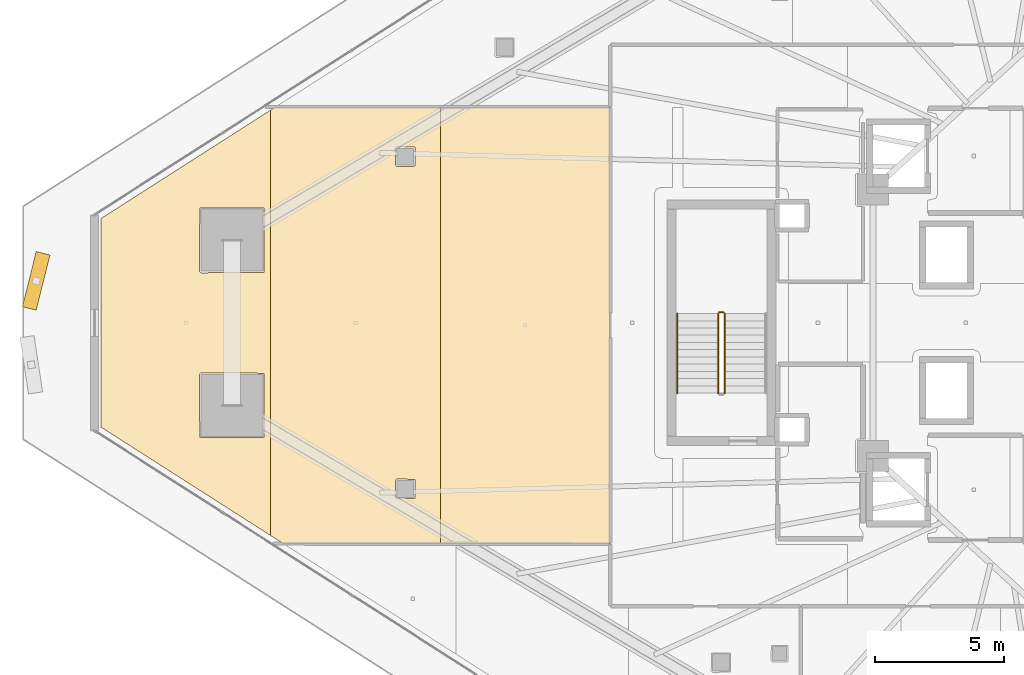
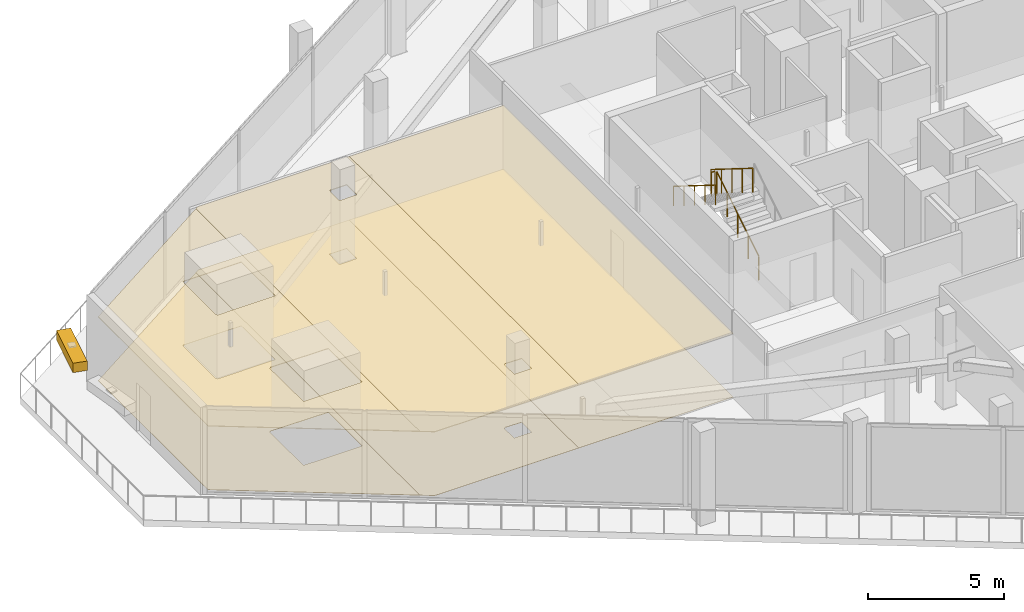
# One storey, part 41 of 45: 6 coverings, 4 railings, 1 shading device.
"""IFC4 building model written with IfcOpenShell, lengths in metres."""

from ifc_helpers import new_model, si_unit, direction, frame, origin, origin_2d, place, context, subcontext, project, spatial, polyline, rectangle, circle, outline, extrude, material, layer, layer_set, type_object, element, save


model = new_model("IFC4")

# Units and contexts
model_context = context("Model", 3, precision=1e-05, world=origin(), true_north=direction((0.0, 1.0)))
body_context = subcontext(model_context, "Body", "Model", "MODEL_VIEW")
ifc_project = project(units=[si_unit("LENGTHUNIT", "METRE"), si_unit("AREAUNIT", "SQUARE_METRE"), si_unit("VOLUMEUNIT", "CUBIC_METRE"), si_unit("PLANEANGLEUNIT", "RADIAN"), si_unit("MASSUNIT", "GRAM", prefix="KILO")], contexts=[model_context])

# Site, building, storey
site_placement = place(None, origin())
site = spatial("IfcSite", under=ifc_project, at=site_placement, CompositionType="ELEMENT")
building_placement = place(site_placement, origin())
building = spatial("IfcBuilding", under=site, at=building_placement, Name="Qorvath Tower", CompositionType="ELEMENT")
storey_placement = place(building_placement, frame((0.0, 0.0, 49.199951171875)))
storey = spatial("IfcBuildingStorey", under=building, at=storey_placement, Name="L10", CompositionType="ELEMENT", Elevation=49.199951171875)

# Coverings
ifc_material_1 = material(Name="Acoustic mineral fibre ceiling tile", Category="gypsum")
ifc_layer_1 = layer(ifc_material_1, 0.030029296875)
ifc_layer_set_1 = layer_set([ifc_layer_1], Name="COV-CEIL")
covering_type_1 = type_object("IfcCoveringType", Name="COV-CEIL", PredefinedType="CEILING", material=ifc_layer_set_1)
covering_1_placement = place(storey_placement, frame((0.0, 0.0, 2.85009765625)))
element("IfcCovering", 1, at=covering_1_placement, inside=storey, type_object=covering_type_1, Name="L10 Suspended Acoustic Ceiling 026", PredefinedType="CEILING", context=body_context, shape_type="SweptSolid", body=[
    extrude(outline(polyline([(-53.784912109375, -8.229736328125), (-53.784912109375, 8.229736328125), (-60.345947265625, 4.036376953125), (-60.345947265625, -4.036376953125), (-53.784912109375, -8.229736328125)]), holes=[polyline([(-56.54296875, -1.994384765625), (-56.48291015625, -1.9345703125), (-54.04052734375, -1.9521484375), (-54.04052734375, -4.43701171875), (-56.525390625, -4.43701171875), (-56.54296875, -1.994384765625)]), polyline([(-56.54296875, 1.994384765625), (-56.525390625, 4.43701171875), (-54.04052734375, 4.43701171875), (-54.04052734375, 1.9521484375), (-56.48291015625, 1.9345703125), (-56.54296875, 1.994384765625)])]), origin(), (0.0, 0.0, 1.0), 0.030029296875),
])
covering_2_placement = place(storey_placement, frame((0.0, 0.0, 2.85009765625)))
element("IfcCovering", 2, at=covering_2_placement, inside=storey, type_object=covering_type_1, Name="L10 Suspended Acoustic Ceiling 027", PredefinedType="CEILING", context=body_context, shape_type="SweptSolid", body=[
    extrude(outline(polyline([(-47.22412109375, -8.53125), (-47.22412109375, 8.3369140625), (-53.6171875, 8.3369140625), (-53.784912109375, 8.229736328125), (-53.784912109375, -8.229736328125), (-53.3212890625, -8.526123046875), (-47.22412109375, -8.53125)]), holes=[polyline([(-48.96337890625, -6.099609375), (-48.9033203125, -6.03955078125), (-48.2109375, -6.05712890625), (-48.2109375, -6.7919921875), (-48.94580078125, -6.7919921875), (-48.96337890625, -6.099609375)]), polyline([(-48.96337890625, 6.099609375), (-48.94580078125, 6.7919921875), (-48.2109375, 6.7919921875), (-48.2109375, 6.05712890625), (-48.9033203125, 6.03955078125), (-48.96337890625, 6.099609375)])]), origin(), (0.0, 0.0, 1.0), 0.030029296875),
])
covering_3_placement = place(storey_placement, frame((0.0, 0.0, 2.85009765625)))
element("IfcCovering", 3, at=covering_3_placement, inside=storey, type_object=covering_type_1, Name="L10 Suspended Acoustic Ceiling 028", PredefinedType="CEILING", context=body_context, shape_type="SweptSolid", body=[
    extrude(outline(polyline([(-40.6630859375, 8.3369140625), (-47.22412109375, 8.3369140625), (-47.22412109375, -8.53125), (-40.6630859375, -8.537109375), (-40.6630859375, 8.3369140625)])), origin(), (0.0, 0.0, 1.0), 0.030029296875),
])
ifc_material_2 = material(Name="Low-VOC modular carpet tile", Category="textile")
ifc_layer_2 = layer(ifc_material_2, 0.014892578125)
ifc_layer_set_2 = layer_set([ifc_layer_2], Name="COV-FLOOR-CPT")
covering_type_2 = type_object("IfcCoveringType", Name="COV-FLOOR-CPT", PredefinedType="FLOORING", material=ifc_layer_set_2)
covering_4_placement = place(storey_placement, origin())
element("IfcCovering", 4, at=covering_4_placement, inside=storey, type_object=covering_type_2, Name="L10 Floor Finish 026", PredefinedType="FLOORING", context=body_context, shape_type="SweptSolid", body=[
    extrude(outline(polyline([(-53.784912109375, -8.229736328125), (-53.784912109375, 8.229736328125), (-60.345947265625, 4.036376953125), (-60.345947265625, -4.036376953125), (-53.784912109375, -8.229736328125)]), holes=[polyline([(-56.54296875, -1.994384765625), (-56.48291015625, -1.9345703125), (-54.04052734375, -1.9521484375), (-54.04052734375, -4.43701171875), (-56.525390625, -4.43701171875), (-56.54296875, -1.994384765625)]), polyline([(-56.54296875, 1.994384765625), (-56.525390625, 4.43701171875), (-54.04052734375, 4.43701171875), (-54.04052734375, 1.9521484375), (-56.48291015625, 1.9345703125), (-56.54296875, 1.994384765625)])]), origin(), (0.0, 0.0, 1.0), 0.01513671875),
])
covering_5_placement = place(storey_placement, origin())
element("IfcCovering", 5, at=covering_5_placement, inside=storey, type_object=covering_type_2, Name="L10 Floor Finish 027", PredefinedType="FLOORING", context=body_context, shape_type="SweptSolid", body=[
    extrude(outline(polyline([(-47.22412109375, -8.53125), (-47.22412109375, 8.3369140625), (-53.6171875, 8.3369140625), (-53.784912109375, 8.229736328125), (-53.784912109375, -8.229736328125), (-53.3212890625, -8.526123046875), (-47.22412109375, -8.53125)]), holes=[polyline([(-48.96337890625, -6.099609375), (-48.9033203125, -6.03955078125), (-48.2109375, -6.05712890625), (-48.2109375, -6.7919921875), (-48.94580078125, -6.7919921875), (-48.96337890625, -6.099609375)]), polyline([(-48.96337890625, 6.099609375), (-48.94580078125, 6.7919921875), (-48.2109375, 6.7919921875), (-48.2109375, 6.05712890625), (-48.9033203125, 6.03955078125), (-48.96337890625, 6.099609375)])]), origin(), (0.0, 0.0, 1.0), 0.01513671875),
])
covering_6_placement = place(storey_placement, origin())
element("IfcCovering", 6, at=covering_6_placement, inside=storey, type_object=covering_type_2, Name="L10 Floor Finish 028", PredefinedType="FLOORING", context=body_context, shape_type="SweptSolid", body=[
    extrude(outline(polyline([(-40.6630859375, 8.3369140625), (-47.22412109375, 8.3369140625), (-47.22412109375, -8.53125), (-40.6630859375, -8.537109375), (-40.6630859375, 8.3369140625)])), origin(), (0.0, 0.0, 1.0), 0.01513671875),
])

# Railings
ifc_material_3 = material(Name="Painted galvanised steel", Category="steel")
railing_type_1 = type_object("IfcRailingType", Name="RL-STR-GRD", PredefinedType="GUARDRAIL", material=ifc_material_3)
railing_1_placement = place(storey_placement, frame((-36.22998046875, -2.719970703125, 0.175048828125)))
element("IfcRailing", 7, at=railing_1_placement, inside=storey, type_object=railing_type_1, Name="L10 TS3 stair guard 1", PredefinedType="GUARDRAIL", context=body_context, shape_type="SweptSolid", body=[
    extrude(circle(Radius=0.02392578125, at=origin_2d()), frame((0.0, 0.0, 1.076171875), z_axis=(0.0, 0.847998304005, 0.529998940003), x_axis=(-1.0, 0.0, 0.0)), (0.0, 0.0, 1.0), 3.632080078125),
    extrude(circle(Radius=0.02099609375, at=origin_2d()), origin(), (0.0, 0.0, 1.0), 1.052001953125),
    extrude(circle(Radius=0.02099609375, at=origin_2d()), frame((0.0, 0.77001953125, 0.481201171875)), (0.0, 0.0, 1.0), 1.052001953125),
    extrude(circle(Radius=0.02099609375, at=origin_2d()), frame((0.0, 1.5400390625, 0.96240234375)), (0.0, 0.0, 1.0), 1.052001953125),
    extrude(circle(Radius=0.02099609375, at=origin_2d()), frame((0.0, 2.31005859375, 1.44384765625)), (0.0, 0.0, 1.0), 1.052001953125),
    extrude(circle(Radius=0.02099609375, at=origin_2d()), frame((0.0, 3.080078125, 1.925048828125)), (0.0, 0.0, 1.0), 1.052001953125),
])
railing_2_placement = place(storey_placement, frame((-36.280029296875, 0.409912109375, 2.10009765625)))
element("IfcRailing", 8, at=railing_2_placement, inside=storey, type_object=railing_type_1, Name="L10 TS3 stair guard 2", PredefinedType="GUARDRAIL", context=body_context, shape_type="SweptSolid", body=[
    extrude(circle(Radius=0.02392578125, at=origin_2d()), frame((0.0, 0.0, 1.076171875), z_axis=(-1.0, 0.0, 0.0), x_axis=(0.0, -1.0, 0.0)), (0.0, 0.0, 1.0), 0.14990234375),
    extrude(circle(Radius=0.02099609375, at=origin_2d()), origin(), (0.0, 0.0, 1.0), 1.052001953125),
    extrude(circle(Radius=0.02099609375, at=origin_2d()), frame((-0.14990234375, 0.0, 0.0)), (0.0, 0.0, 1.0), 1.052001953125),
])
railing_3_placement = place(storey_placement, frame((-36.47998046875, 0.360107421875, 2.275146484375)))
element("IfcRailing", 9, at=railing_3_placement, inside=storey, type_object=railing_type_1, Name="L10 TS3 stair guard 3", PredefinedType="GUARDRAIL", context=body_context, shape_type="SweptSolid", body=[
    extrude(circle(Radius=0.02392578125, at=origin_2d()), frame((0.0, 0.0, 1.076171875), z_axis=(0.0, -0.848028513186, 0.529950602248), x_axis=(1.0, 0.0, 0.0)), (0.0, 0.0, 1.0), 3.632080078125),
    extrude(circle(Radius=0.02099609375, at=origin_2d()), origin(), (0.0, 0.0, 1.0), 1.052001953125),
    extrude(circle(Radius=0.02099609375, at=origin_2d()), frame((0.0, -0.77001953125, 0.481201171875)), (0.0, 0.0, 1.0), 1.052001953125),
    extrude(circle(Radius=0.02099609375, at=origin_2d()), frame((0.0, -1.5400390625, 0.96240234375)), (0.0, 0.0, 1.0), 1.052001953125),
    extrude(circle(Radius=0.02099609375, at=origin_2d()), frame((0.0, -2.31005859375, 1.443603515625)), (0.0, 0.0, 1.0), 1.052001953125),
    extrude(circle(Radius=0.02099609375, at=origin_2d()), frame((0.0, -3.080078125, 1.9248046875)), (0.0, 0.0, 1.0), 1.052001953125),
])
ifc_material_4 = material(Name="Brushed stainless steel AISI 304", Category="steel")
railing_type_2 = type_object("IfcRailingType", Name="RL-STR-HND", PredefinedType="HANDRAIL", material=ifc_material_4)
railing_4_placement = place(storey_placement, frame((-38.06005859375, 0.360107421875, 2.275146484375)))
element("IfcRailing", 10, at=railing_4_placement, inside=storey, type_object=railing_type_2, Name="L10 TS3 stair handrail 2", PredefinedType="HANDRAIL", context=body_context, shape_type="SweptSolid", body=[
    extrude(circle(Radius=0.02392578125, at=origin_2d()), frame((0.0, 0.0, 0.8759765625), z_axis=(0.0, -0.848028513186, 0.529950602248), x_axis=(1.0, 0.0, 0.0)), (0.0, 0.0, 1.0), 3.632080078125),
    extrude(circle(Radius=0.02099609375, at=origin_2d()), origin(), (0.0, 0.0, 1.0), 0.851806640625),
    extrude(circle(Radius=0.02099609375, at=origin_2d()), frame((0.0, -0.77001953125, 0.481201171875)), (0.0, 0.0, 1.0), 0.851806640625),
    extrude(circle(Radius=0.02099609375, at=origin_2d()), frame((0.0, -1.5400390625, 0.96240234375)), (0.0, 0.0, 1.0), 0.851806640625),
    extrude(circle(Radius=0.02099609375, at=origin_2d()), frame((0.0, -2.31005859375, 1.443603515625)), (0.0, 0.0, 1.0), 0.851806640625),
    extrude(circle(Radius=0.02099609375, at=origin_2d()), frame((0.0, -3.080078125, 1.9248046875)), (0.0, 0.0, 1.0), 0.851806640625),
])

# Shading device
ifc_material_5 = material(Name="Anodised bronze-champagne aluminium", Category="aluminium")
shading_device_type = type_object("IfcShadingDeviceType", Name="SD-LOUVRE", PredefinedType="JALOUSIE", material=ifc_material_5)
shading_device_placement = place(storey_placement, frame((-62.855712890625, 1.62353515625, 3.500244140625), z_axis=(0.0, 0.0, 1.0), x_axis=(-0.242352017134, -0.970188383661, 0.0)))
element("IfcShadingDevice", 11, at=shading_device_placement, inside=storey, type_object=shading_device_type, Name="Sinusoidal Wave Louvre Blade L10-01", PredefinedType="NOTDEFINED", context=body_context, shape_type="SweptSolid", body=[
    extrude(rectangle(XDim=2.199951171875, YDim=0.550048828125, at=origin_2d()), origin(), (0.0, 0.0, 1.0), 0.419921875),
])

save(model, "model.ifc")
